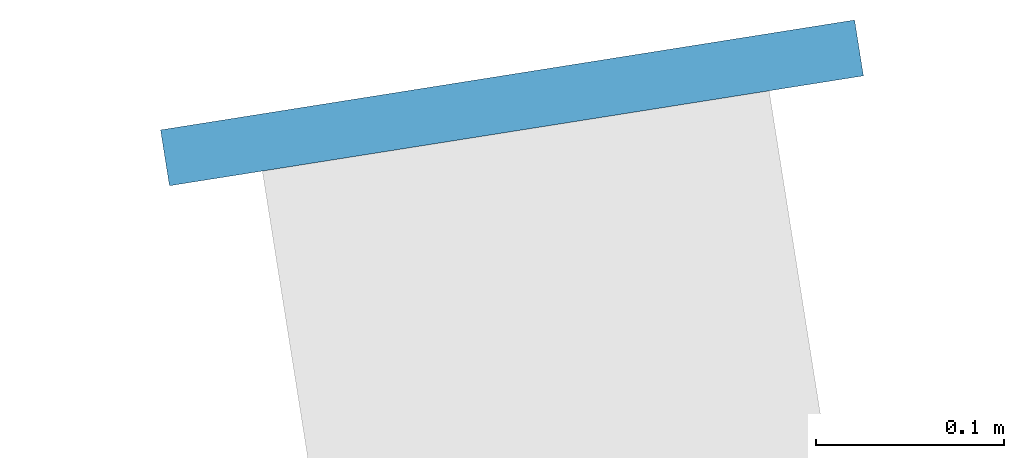
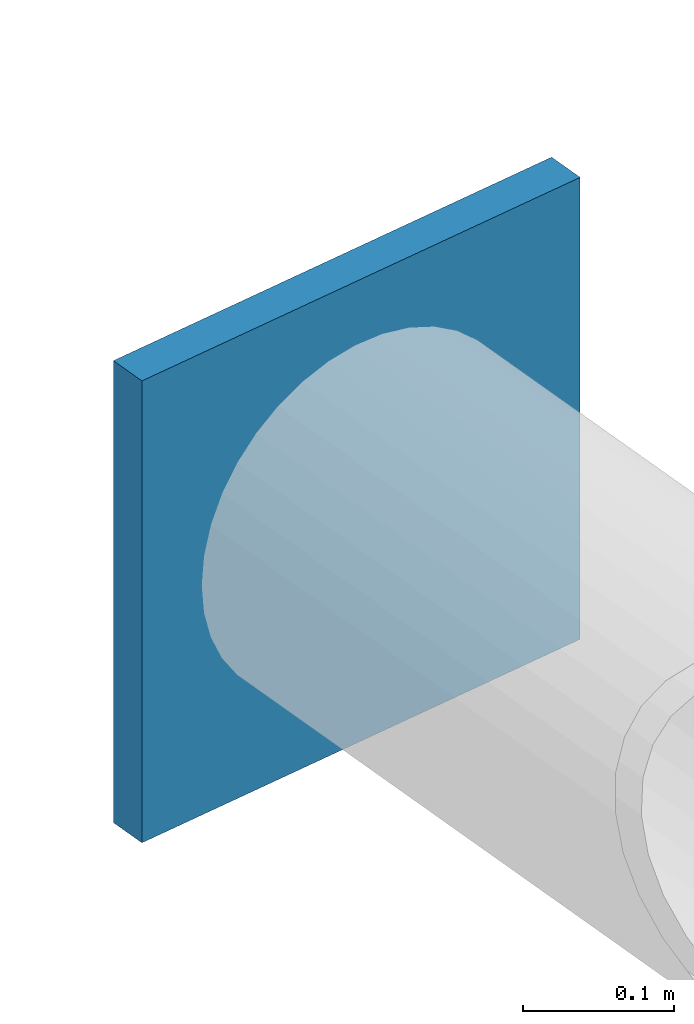
# One storey, part 11 of 18: 1 discrete accessory.
"""IFC4 building model written with IfcOpenShell, lengths in metres."""

from ifc_helpers import new_model, si_unit, direction, frame, origin, origin_2d, place, context, subcontext, project, spatial, rectangle, extrude, material, element, save


model = new_model("IFC4")

# Units and contexts
model_context = context("Model", 3, precision=1e-05, world=origin(), true_north=direction((0.0, 1.0)))
body_context = subcontext(model_context, "Body", "Model", "MODEL_VIEW")
ifc_project = project(units=[si_unit("LENGTHUNIT", "METRE"), si_unit("AREAUNIT", "SQUARE_METRE"), si_unit("VOLUMEUNIT", "CUBIC_METRE"), si_unit("PLANEANGLEUNIT", "RADIAN"), si_unit("MASSUNIT", "GRAM", prefix="KILO")], contexts=[model_context])

# Site, building, storey
site_placement = place(None, origin())
site = spatial("IfcSite", under=ifc_project, at=site_placement, CompositionType="ELEMENT")
building_placement = place(site_placement, origin())
building = spatial("IfcBuilding", under=site, at=building_placement, Name="Entoto Ring Tower", CompositionType="ELEMENT")
storey_placement = place(building_placement, frame((0.0, 0.0, 388.0)))
storey = spatial("IfcBuildingStorey", under=building, at=storey_placement, Name="L90", CompositionType="ELEMENT", Elevation=388.0)

# Discrete accessory
ifc_material = material(Name="Steel S355", Category="steel")
discrete_accessory_placement = place(storey_placement, frame((84.89794921875, 112.21337890625, 3.52685546875), z_axis=(0.0, 0.0, 1.0), x_axis=(-0.15643446504, 0.987688340595, 0.0)))
element("IfcDiscreteAccessory", 1, at=discrete_accessory_placement, inside=storey, material=ifc_material, Name="Node strut end plate DS2 ring 28 06", PredefinedType="BRACKET", context=body_context, shape_type="SweptSolid", body=[
    extrude(rectangle(XDim=0.030029296875, YDim=0.373046875, at=origin_2d()), origin(), (0.0, 0.0, 1.0), 0.373046875),
])

save(model, "model.ifc")
